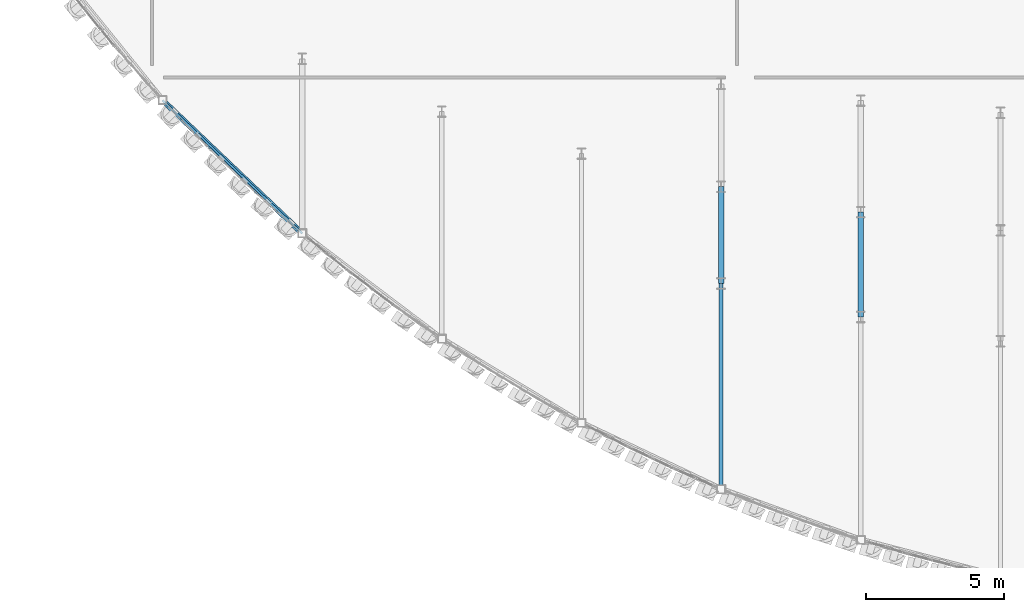
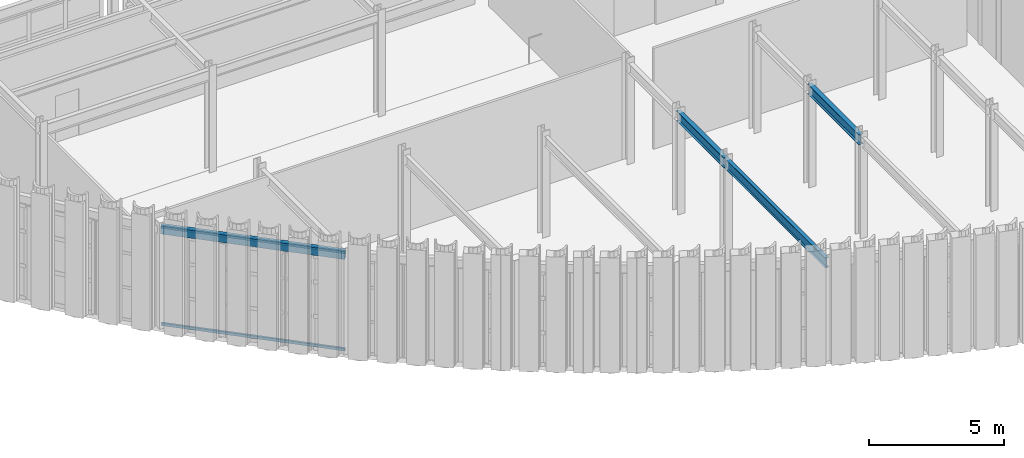
# One storey, part 20 of 126: 4 beams, 2 members.
"""IFC4 building model written with IfcOpenShell, lengths in metres."""

from ifc_helpers import new_model, si_unit, direction, frame, origin, origin_2d, place, context, subcontext, project, spatial, hollow_rectangle, i_section, extrude, material, material_profile, profile_set, type_object, element, save


model = new_model("IFC4")

# Units and contexts
model_context = context("Model", 3, precision=1e-05, world=origin(), true_north=direction((0.0, 1.0)))
body_context = subcontext(model_context, "Body", "Model", "MODEL_VIEW")
ifc_project = project(units=[si_unit("LENGTHUNIT", "METRE"), si_unit("AREAUNIT", "SQUARE_METRE"), si_unit("VOLUMEUNIT", "CUBIC_METRE"), si_unit("PLANEANGLEUNIT", "RADIAN"), si_unit("MASSUNIT", "GRAM", prefix="KILO")], contexts=[model_context])

# Site, building, storey
site_placement = place(None, origin())
site = spatial("IfcSite", under=ifc_project, at=site_placement, CompositionType="ELEMENT")
building_placement = place(site_placement, origin())
building = spatial("IfcBuilding", under=site, at=building_placement, Name="Solvadek Multi-Sports Hall", CompositionType="ELEMENT")
storey_placement = place(building_placement, frame((0.0, 0.0, 9.60009765625)))
storey = spatial("IfcBuildingStorey", under=building, at=storey_placement, Name="L02", CompositionType="ELEMENT", Elevation=9.60009765625)

# Beams
ifc_material_1 = material(Name="Steel E350 (350 MPa)", Category="steel")
ifc_material_profile_1 = material_profile(ifc_material_1, i_section(OverallWidth=0.14990234375, OverallDepth=0.449951171875, WebThickness=0.009521484375, FlangeThickness=0.017333984375, at=origin_2d()), Name="ISMB 450")
ifc_profile_set_1 = profile_set([ifc_material_profile_1], Name="Steel E350 (350 MPa)")
beam_type_1 = type_object("IfcBeamType", Name="STR-BM-ISMB450", PredefinedType="BEAM", material=ifc_profile_set_1)
beam_1_placement = place(storey_placement, frame((56.818115234375, -8.72412109375, 4.3349609375), z_axis=(0.0, 1.0, 0.0), x_axis=(-1.0, 0.0, 0.0)))
element("IfcBeam", 1, at=beam_1_placement, inside=storey, type_object=beam_type_1, Name="L02 Girder B-09 #1520", PredefinedType="BEAM", context=body_context, shape_type="SweptSolid", body=[
    extrude(i_section(OverallWidth=0.14990234375, OverallDepth=0.449951171875, WebThickness=0.009521484375, FlangeThickness=0.017333984375, at=origin_2d()), origin(), (0.0, 0.0, 1.0), 7.4541015625),
])
ifc_material_profile_2 = material_profile(ifc_material_1, i_section(OverallWidth=0.18994140625, OverallDepth=0.449951171875, WebThickness=0.009521484375, FlangeThickness=0.0146484375, at=origin_2d()), Name="NPB 450")
ifc_profile_set_2 = profile_set([ifc_material_profile_2], Name="Steel E350 (350 MPa)")
beam_type_2 = type_object("IfcBeamType", Name="STR-BM-NPB450", PredefinedType="BEAM", material=ifc_profile_set_2)
beam_2_placement = place(storey_placement, frame((56.818115234375, -1.27001953125, 4.3349609375), z_axis=(0.0, 1.0, 0.0), x_axis=(-1.0, 0.0, 0.0)))
element("IfcBeam", 2, at=beam_2_placement, inside=storey, type_object=beam_type_2, Name="L02 Girder B-08 #1521", PredefinedType="BEAM", context=body_context, shape_type="SweptSolid", body=[
    extrude(i_section(OverallWidth=0.18994140625, OverallDepth=0.449951171875, WebThickness=0.009521484375, FlangeThickness=0.0146484375, at=origin_2d()), origin(), (0.0, 0.0, 1.0), 3.5078125),
])
beam_3_placement = place(storey_placement, frame((61.87890625, -2.4833984375, 4.3349609375), z_axis=(0.0, 1.0, 0.0), x_axis=(-1.0, 0.0, 0.0)))
element("IfcBeam", 3, at=beam_3_placement, inside=storey, type_object=beam_type_2, Name="L02 Girder B-08 #1537", PredefinedType="BEAM", context=body_context, shape_type="SweptSolid", body=[
    extrude(i_section(OverallWidth=0.18994140625, OverallDepth=0.449951171875, WebThickness=0.009521484375, FlangeThickness=0.0146484375, at=origin_2d()), origin(), (0.0, 0.0, 1.0), 3.802001953125),
])
ifc_material_profile_3 = material_profile(ifc_material_1, hollow_rectangle(XDim=0.199951171875, YDim=0.35009765625, WallThickness=0.011962890625, at=origin_2d()), Name="RHS 350x200x12")
ifc_profile_set_3 = profile_set([ifc_material_profile_3], Name="Steel E350 (350 MPa)")
beam_type_3 = type_object("IfcBeamType", Name="STR-SPN-RHS350", PredefinedType="SPANDREL", material=ifc_profile_set_3)
beam_4_placement = place(storey_placement, frame((36.57568359375, 5.37158203125, 4.40478515625), z_axis=(0.723682801678, -0.690132742707, 0.0), x_axis=(0.690132742707, 0.723682801678, 0.0)))
element("IfcBeam", 4, at=beam_4_placement, inside=storey, type_object=beam_type_3, Name="L02 Curved Crescent Spandrel #60", PredefinedType="SPANDREL", context=body_context, shape_type="SweptSolid", body=[
    extrude(hollow_rectangle(XDim=0.199951171875, YDim=0.35009765625, WallThickness=0.011962890625, at=origin_2d()), origin(), (0.0, 0.0, 1.0), 6.9931640625),
])

# Members
ifc_material_2 = material(Name="Steel E250 (250 MPa)", Category="steel")
ifc_material_profile_4 = material_profile(ifc_material_2, hollow_rectangle(XDim=0.080078125, YDim=0.1201171875, WallThickness=0.006103515625, at=origin_2d()), Name="RHS 120x80x6")
ifc_profile_set_4 = profile_set([ifc_material_profile_4], Name="Steel E250 (250 MPa)")
member_type = type_object("IfcMemberType", Name="STR-STD-RHS120", PredefinedType="STUD", material=ifc_profile_set_4)
for number, where, z_axis, x_axis, name in (
    (5, (36.57568359375, 5.37158203125, 0.119873046875), (0.723682801678, -0.690132742707, 0.0), (0.690132742707, 0.723682801678, 0.0), "L02 Flute Subframe Rail W-3 bot"),
    (6, (36.57568359375, 5.37158203125, 4.5), (0.723682801678, -0.690132742707, 0.0), (0.690132742707, 0.723682801678, 0.0), "L02 Flute Subframe Rail W-3 top"),
):
    element("IfcMember", number, at=place(storey_placement, frame(where, z_axis=z_axis, x_axis=x_axis)), inside=storey, type_object=member_type, Name=name, PredefinedType="STUD", context=body_context, shape_type="SweptSolid", body=[
        extrude(hollow_rectangle(XDim=0.080078125, YDim=0.1201171875, WallThickness=0.006103515625, at=origin_2d()), origin(), (0.0, 0.0, 1.0), 6.9931640625),
    ])

save(model, "model.ifc")
